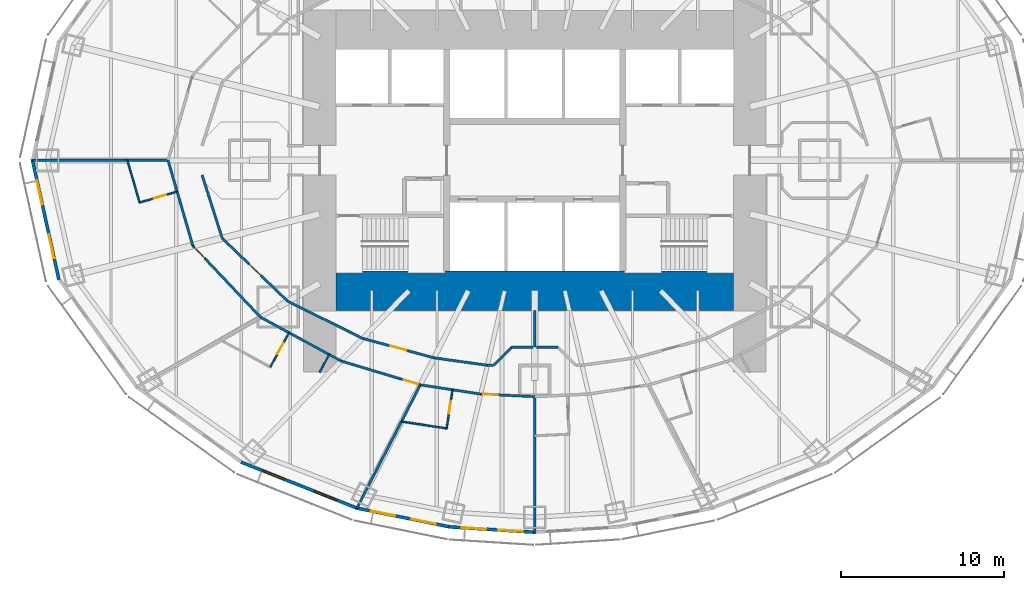
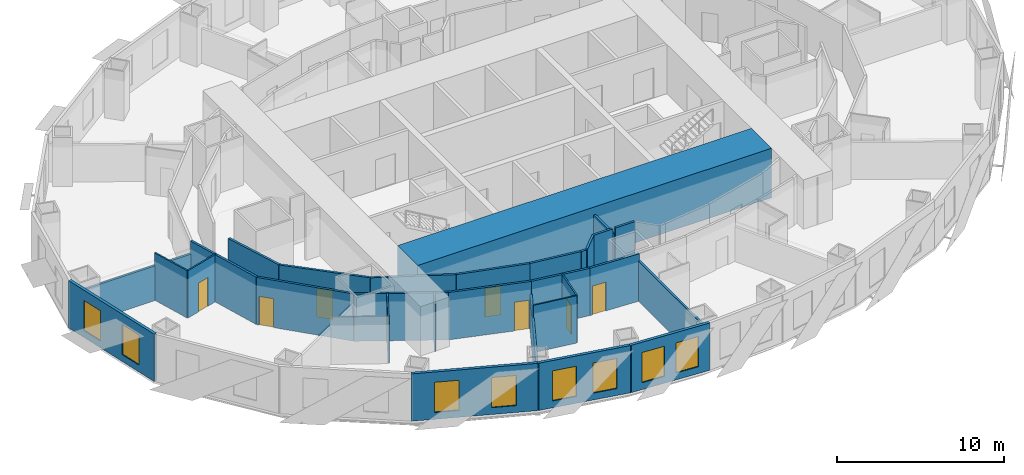
# One storey, part 5 of 15: 30 walls, 8 doors, 8 windows, 16 openings.
"""IFC4 building model written with IfcOpenShell, lengths in metres."""

from ifc_helpers import new_model, si_unit, direction, frame, frame_2d, origin, place, context, subcontext, project, spatial, rectangle, extrude, material, layer, layer_set, type_object, element, fill, save


model = new_model("IFC4")

# Units and contexts
model_context = context("Model", 3, precision=1e-05, world=origin(), true_north=direction((0.0, 1.0)))
body_context = subcontext(model_context, "Body", "Model", "MODEL_VIEW")
ifc_project = project(units=[si_unit("LENGTHUNIT", "METRE"), si_unit("AREAUNIT", "SQUARE_METRE"), si_unit("VOLUMEUNIT", "CUBIC_METRE"), si_unit("PLANEANGLEUNIT", "RADIAN"), si_unit("MASSUNIT", "GRAM", prefix="KILO")], contexts=[model_context])

# Site, building, storey
site_placement = place(None, origin())
site = spatial("IfcSite", under=ifc_project, at=site_placement, CompositionType="ELEMENT")
building_placement = place(site_placement, origin())
building = spatial("IfcBuilding", under=site, at=building_placement, Name="Lantaw Convention Tower", CompositionType="ELEMENT")
storey_placement = place(building_placement, frame((0.0, 0.0, 83.800048828125)))
storey = spatial("IfcBuildingStorey", under=building, at=storey_placement, Name="L19", CompositionType="ELEMENT", Elevation=83.800048828125)

# Walls
ifc_material_1 = material(Name="Gypsum board on steel studs", Category="steel")
ifc_layer_1 = layer(ifc_material_1, 0.14990234375)
ifc_layer_set_1 = layer_set([ifc_layer_1], Name="Back of house wall 150")
wall_type_1 = type_object("IfcWallType", Name="Back of house wall 150", PredefinedType="PARTITIONING", material=ifc_layer_set_1)
wall_1_placement = place(storey_placement, frame((0.0, -9.199951171875, 0.0), z_axis=(0.0, 0.0, 1.0), x_axis=(0.0, -1.0, 0.0)))
element("IfcWall", 1, at=wall_1_placement, inside=storey, type_object=wall_type_1, Name="Back of house wall 150", PredefinedType="PARTITIONING", context=body_context, shape_type="SweptSolid", body=[
    extrude(rectangle(XDim=2.26513671875, YDim=0.14990234375, at=frame_2d((1.132568359375, 0.0))), origin(), (0.0, 0.0, 1.0), 3.04345703125),
])
wall_2_placement = place(storey_placement, frame((0.103271484375, -11.47509765625, 0.0), z_axis=(0.0, 0.0, 1.0), x_axis=(1.0, 0.0, 0.0)))
element("IfcWall", 2, at=wall_2_placement, inside=storey, type_object=wall_type_1, Name="Back of house wall 150", PredefinedType="PARTITIONING", context=body_context, shape_type="SweptSolid", body=[
    extrude(rectangle(XDim=1.3212890625, YDim=0.14990234375, at=frame_2d((0.66064453125, 0.0))), origin(), (0.0, 0.0, 1.0), 3.449951171875),
])

# Wall, opening, door
ifc_material_2 = material(Name="Moisture resistant gypsum board on steel studs", Category="steel")
ifc_layer_2 = layer(ifc_material_2, 0.10009765625)
ifc_layer_set_2 = layer_set([ifc_layer_2], Name="Bathroom wall 100")
wall_type_2 = type_object("IfcWallType", Name="Bathroom wall 100", PredefinedType="PARTITIONING", material=ifc_layer_set_2)
wall_3_placement = place(storey_placement, frame((-21.943359375, -1.9208984375, 0.0), z_axis=(0.0, 0.0, 1.0), x_axis=(-0.960496317326, -0.278292695563, 0.0)))
wall_3 = element("IfcWall", 3, at=wall_3_placement, inside=storey, type_object=wall_type_2, Name="Bathroom wall 100", PredefinedType="PARTITIONING", context=body_context, shape_type="SweptSolid", body=[
    extrude(rectangle(XDim=2.400146484375, YDim=0.10009765625, at=frame_2d((1.2001953125, 0.0))), origin(), (0.0, 0.0, 1.0), 3.449951171875),
])
opening_1_placement = place(wall_3_placement, frame((0.699951171875, 0.0, 0.0)))
opening_1 = element("IfcOpeningElement", 4, at=opening_1_placement, cuts=wall_3, Name="Opening L19.37", PredefinedType="OPENING", context=body_context, shape_type="SweptSolid", body=[
    extrude(rectangle(XDim=0.800048828125, YDim=2.10009765625, at=frame_2d((0.39990234375, 1.050048828125))), frame((0.0, 0.06005859375, 0.0), z_axis=(0.0, -1.0, 0.0), x_axis=(1.0, 0.0, 0.0)), (0.0, 0.0, 1.0), 0.1201171875),
])
ifc_material_3 = material(Name="Timber", Category="wood")
door_type_1 = type_object("IfcDoorType", Name="Bathroom door 800", OperationType="SINGLE_SWING_LEFT", PredefinedType="DOOR", material=ifc_material_3)
door_1_placement = place(opening_1_placement, origin())
door_1 = element("IfcDoor", 5, at=door_1_placement, inside=storey, type_object=door_type_1, Name="Bathroom door", OperationType="SINGLE_SWING_LEFT", OverallHeight=2.10009765625, OverallWidth=0.800048828125, PredefinedType="DOOR", context=body_context, shape_type="SweptSolid", body=[
    extrude(rectangle(XDim=0.800048828125, YDim=2.10009765625, at=frame_2d((0.39990234375, 1.050048828125))), frame((0.0, 0.02490234375, 0.0), z_axis=(0.0, -1.0, 0.0), x_axis=(1.0, 0.0, 0.0)), (0.0, 0.0, 1.0), 0.050048828125),
])
fill(opening_1, door_1)

# Wall
wall_4_placement = place(storey_placement, frame((-24.248779296875, -2.5888671875, 0.0), z_axis=(0.0, 0.0, 1.0), x_axis=(-0.278260412958, 0.960505670249, 0.0)))
element("IfcWall", 6, at=wall_4_placement, inside=storey, type_object=wall_type_2, Name="Bathroom wall 100", PredefinedType="PARTITIONING", context=body_context, shape_type="SweptSolid", body=[
    extrude(rectangle(XDim=2.6953125, YDim=0.10009765625, at=frame_2d((1.34765625, 0.0))), origin(), (0.0, 0.0, 1.0), 3.449951171875),
])

# Wall, opening, door
wall_5_placement = place(storey_placement, frame((-15.078125, -10.57568359375, 0.0), z_axis=(0.0, 0.0, 1.0), x_axis=(-0.477832549678, -0.878450940274, 0.0)))
wall_5 = element("IfcWall", 7, at=wall_5_placement, inside=storey, type_object=wall_type_2, Name="Bathroom wall 100", PredefinedType="PARTITIONING", context=body_context, shape_type="SweptSolid", body=[
    extrude(rectangle(XDim=2.39990234375, YDim=0.10009765625, at=frame_2d((1.199951171875, 0.0))), origin(), (0.0, 0.0, 1.0), 3.449951171875),
])
opening_2_placement = place(wall_5_placement, frame((0.699951171875, 0.0, 0.0)))
opening_2 = element("IfcOpeningElement", 8, at=opening_2_placement, cuts=wall_5, Name="Opening L19.39", PredefinedType="OPENING", context=body_context, shape_type="SweptSolid", body=[
    extrude(rectangle(XDim=0.800048828125, YDim=2.10009765625, at=frame_2d((0.39990234375, 1.050048828125))), frame((0.0, 0.06005859375, 0.0), z_axis=(0.0, -1.0, 0.0), x_axis=(1.0, 0.0, 0.0)), (0.0, 0.0, 1.0), 0.1201171875),
])
door_2_placement = place(opening_2_placement, origin())
door_2 = element("IfcDoor", 9, at=door_2_placement, inside=storey, type_object=door_type_1, Name="Bathroom door", OperationType="SINGLE_SWING_LEFT", OverallHeight=2.10009765625, OverallWidth=0.800048828125, PredefinedType="DOOR", context=body_context, shape_type="SweptSolid", body=[
    extrude(rectangle(XDim=0.800048828125, YDim=2.10009765625, at=frame_2d((0.39990234375, 1.050048828125))), frame((0.0, 0.02490234375, 0.0), z_axis=(0.0, -1.0, 0.0), x_axis=(1.0, 0.0, 0.0)), (0.0, 0.0, 1.0), 0.050048828125),
])
fill(opening_2, door_2)

wall_6_placement = place(storey_placement, frame((-5.042236328125, -14.077880859375, 0.0), z_axis=(0.0, 0.0, 1.0), x_axis=(-0.150856962013, -0.988555601376, 0.0)))
wall_6 = element("IfcWall", 10, at=wall_6_placement, inside=storey, type_object=wall_type_2, Name="Bathroom wall 100", PredefinedType="PARTITIONING", context=body_context, shape_type="SweptSolid", body=[
    extrude(rectangle(XDim=2.400146484375, YDim=0.10009765625, at=frame_2d((1.2001953125, 0.0))), origin(), (0.0, 0.0, 1.0), 3.449951171875),
])
opening_3_placement = place(wall_6_placement, frame((0.699951171875, 0.0, 0.0)))
opening_3 = element("IfcOpeningElement", 11, at=opening_3_placement, cuts=wall_6, Name="Opening L19.41", PredefinedType="OPENING", context=body_context, shape_type="SweptSolid", body=[
    extrude(rectangle(XDim=0.800048828125, YDim=2.10009765625, at=frame_2d((0.39990234375, 1.050048828125))), frame((0.0, 0.06005859375, 0.0), z_axis=(0.0, -1.0, 0.0), x_axis=(1.0, 0.0, 0.0)), (0.0, 0.0, 1.0), 0.1201171875),
])
door_3_placement = place(opening_3_placement, origin())
door_3 = element("IfcDoor", 12, at=door_3_placement, inside=storey, type_object=door_type_1, Name="Bathroom door", OperationType="SINGLE_SWING_LEFT", OverallHeight=2.10009765625, OverallWidth=0.800048828125, PredefinedType="DOOR", context=body_context, shape_type="SweptSolid", body=[
    extrude(rectangle(XDim=0.800048828125, YDim=2.10009765625, at=frame_2d((0.39990234375, 1.050048828125))), frame((0.0, 0.02490234375, 0.0), z_axis=(0.0, -1.0, 0.0), x_axis=(1.0, 0.0, 0.0)), (0.0, 0.0, 1.0), 0.050048828125),
])
fill(opening_3, door_3)

# Walls
wall_7_placement = place(storey_placement, frame((-5.404296875, -16.450439453125, 0.0), z_axis=(0.0, 0.0, 1.0), x_axis=(-0.988568792086, 0.150770498819, 0.0)))
element("IfcWall", 13, at=wall_7_placement, inside=storey, type_object=wall_type_2, Name="Bathroom wall 100", PredefinedType="PARTITIONING", context=body_context, shape_type="SweptSolid", body=[
    extrude(rectangle(XDim=2.794921875, YDim=0.10009765625, at=frame_2d((1.3974609375, 0.0))), origin(), (0.0, 0.0, 1.0), 3.449951171875),
])
ifc_material_4 = material(Name="Concrete C60/75", Category="concrete")
ifc_layer_3 = layer(ifc_material_4, 2.39990234375)
ifc_layer_set_3 = layer_set([ifc_layer_3], Name="Core wall 2400")
wall_type_3 = type_object("IfcWallType", Name="Core wall 2400", PredefinedType="SHEAR", material=ifc_layer_set_3)
wall_8_placement = place(storey_placement, frame((-12.199951171875, -8.0, 0.0), z_axis=(0.0, 0.0, 1.0), x_axis=(1.0, 0.0, 0.0)))
element("IfcWall", 14, at=wall_8_placement, inside=storey, type_object=wall_type_3, Name="Core wall S", PredefinedType="SHEAR", context=body_context, shape_type="SweptSolid", body=[
    extrude(rectangle(XDim=24.39990234375, YDim=2.39990234375, at=frame_2d((12.199951171875, 0.0))), origin(), (0.0, 0.0, 1.0), 3.599853515625),
])
ifc_material_5 = material(Name="Gypsum board on steel studs, fire rated", Category="steel")
ifc_layer_4 = layer(ifc_material_5, 0.14990234375)
ifc_layer_set_4 = layer_set([ifc_layer_4], Name="Corridor wall 150 EI 60")
wall_type_4 = type_object("IfcWallType", Name="Corridor wall 150 EI 60", PredefinedType="PARTITIONING", material=ifc_layer_set_4)
wall_9_placement = place(storey_placement, frame((-22.5, 0.0, 0.0), z_axis=(0.0, 0.0, 1.0), x_axis=(0.278247435376, -0.960509429785, 0.0)))
element("IfcWall", 15, at=wall_9_placement, inside=storey, type_object=wall_type_4, Name="Corridor wall 150", PredefinedType="PARTITIONING", context=body_context, shape_type="SweptSolid", body=[
    extrude(rectangle(XDim=5.447021484375, YDim=0.14990234375, at=frame_2d((2.7236328125, 0.0))), origin(), (0.0, 0.0, 1.0), 3.449951171875),
])

# Wall, opening, door
wall_10_placement = place(storey_placement, frame((-20.984375, -5.23193359375, 0.0), z_axis=(0.0, 0.0, 1.0), x_axis=(0.687062608696, -0.726598218916, 0.0)))
wall_10 = element("IfcWall", 16, at=wall_10_placement, inside=storey, type_object=wall_type_4, Name="Corridor wall 150", PredefinedType="PARTITIONING", context=body_context, shape_type="SweptSolid", body=[
    extrude(rectangle(XDim=6.039306640625, YDim=0.14990234375, at=frame_2d((3.01953125, 0.0))), origin(), (0.0, 0.0, 1.0), 3.449951171875),
])
opening_4_placement = place(wall_10_placement, frame((0.14990234375, 0.0, 0.0)))
opening_4 = element("IfcOpeningElement", 17, at=opening_4_placement, cuts=wall_10, Name="Opening L19.38", PredefinedType="OPENING", context=body_context, shape_type="SweptSolid", body=[
    extrude(rectangle(XDim=0.89990234375, YDim=2.10009765625, at=frame_2d((0.449951171875, 1.050048828125))), frame((0.0, 0.0849609375, 0.0), z_axis=(0.0, -1.0, 0.0), x_axis=(1.0, 0.0, 0.0)), (0.0, 0.0, 1.0), 0.169921875),
])
ifc_material_6 = material(Name="Steel, fire rated", Category="steel")
door_type_2 = type_object("IfcDoorType", Name="Guest room entrance door FD30S", OperationType="SINGLE_SWING_LEFT", PredefinedType="DOOR", material=ifc_material_6)
door_4_placement = place(opening_4_placement, origin())
door_4 = element("IfcDoor", 18, at=door_4_placement, inside=storey, type_object=door_type_2, Name="Junior suite entrance door", OperationType="SINGLE_SWING_LEFT", OverallHeight=2.10009765625, OverallWidth=0.89990234375, PredefinedType="DOOR", context=body_context, shape_type="SweptSolid", body=[
    extrude(rectangle(XDim=0.89990234375, YDim=2.10009765625, at=frame_2d((0.449951171875, 1.050048828125))), frame((0.0, 0.02490234375, 0.0), z_axis=(0.0, -1.0, 0.0), x_axis=(1.0, 0.0, 0.0)), (0.0, 0.0, 1.0), 0.050048828125),
])
fill(opening_4, door_4)

# Wall
wall_11_placement = place(storey_placement, frame((-16.8349609375, -9.6201171875, 0.0), z_axis=(0.0, 0.0, 1.0), x_axis=(0.878450059298, -0.477834169267, 0.0)))
element("IfcWall", 19, at=wall_11_placement, inside=storey, type_object=wall_type_4, Name="Corridor wall 150", PredefinedType="PARTITIONING", context=body_context, shape_type="SweptSolid", body=[
    extrude(rectangle(XDim=5.630859375, YDim=0.14990234375, at=frame_2d((2.8154296875, 0.0))), origin(), (0.0, 0.0, 1.0), 3.449951171875),
])

# Wall, opening, door
wall_12_placement = place(storey_placement, frame((-11.888427734375, -12.310791015625, 0.0), z_axis=(0.0, 0.0, 1.0), x_axis=(0.957564241242, -0.288219922793, 0.0)))
wall_12 = element("IfcWall", 20, at=wall_12_placement, inside=storey, type_object=wall_type_4, Name="Corridor wall 150", PredefinedType="PARTITIONING", context=body_context, shape_type="SweptSolid", body=[
    extrude(rectangle(XDim=5.0849609375, YDim=0.14990234375, at=frame_2d((2.54248046875, 0.0))), origin(), (0.0, 0.0, 1.0), 3.449951171875),
])
opening_5_placement = place(wall_12_placement, frame((4.03466796875, 0.0, 0.0)))
opening_5 = element("IfcOpeningElement", 21, at=opening_5_placement, cuts=wall_12, Name="Opening L19.40", PredefinedType="OPENING", context=body_context, shape_type="SweptSolid", body=[
    extrude(rectangle(XDim=0.89990234375, YDim=2.10009765625, at=frame_2d((0.449951171875, 1.050048828125))), frame((0.0, 0.0849609375, 0.0), z_axis=(0.0, -1.0, 0.0), x_axis=(1.0, 0.0, 0.0)), (0.0, 0.0, 1.0), 0.169921875),
])
door_5_placement = place(opening_5_placement, origin())
door_5 = element("IfcDoor", 22, at=door_5_placement, inside=storey, type_object=door_type_2, Name="Junior suite entrance door", OperationType="SINGLE_SWING_LEFT", OverallHeight=2.10009765625, OverallWidth=0.89990234375, PredefinedType="DOOR", context=body_context, shape_type="SweptSolid", body=[
    extrude(rectangle(XDim=0.89990234375, YDim=2.10009765625, at=frame_2d((0.449951171875, 1.050048828125))), frame((0.0, 0.02490234375, 0.0), z_axis=(0.0, -1.0, 0.0), x_axis=(1.0, 0.0, 0.0)), (0.0, 0.0, 1.0), 0.050048828125),
])
fill(opening_5, door_5)

# Wall
wall_13_placement = place(storey_placement, frame((-7.019287109375, -13.7763671875, 0.0), z_axis=(0.0, 0.0, 1.0), x_axis=(0.988564270062, -0.150800145746, 0.0)))
element("IfcWall", 23, at=wall_13_placement, inside=storey, type_object=wall_type_4, Name="Corridor wall 150", PredefinedType="PARTITIONING", context=body_context, shape_type="SweptSolid", body=[
    extrude(rectangle(XDim=3.751220703125, YDim=0.14990234375, at=frame_2d((1.87548828125, 0.0))), origin(), (0.0, 0.0, 1.0), 3.449951171875),
])

# Wall, opening, door
wall_14_placement = place(storey_placement, frame((-3.31103515625, -14.342041015625, 0.0), z_axis=(0.0, 0.0, 1.0), x_axis=(0.998863968075, -0.047652631422, 0.0)))
wall_14 = element("IfcWall", 24, at=wall_14_placement, inside=storey, type_object=wall_type_4, Name="Corridor wall 150", PredefinedType="PARTITIONING", context=body_context, shape_type="SweptSolid", body=[
    extrude(rectangle(XDim=3.314697265625, YDim=0.14990234375, at=frame_2d((1.6572265625, 0.0))), origin(), (0.0, 0.0, 1.0), 3.449951171875),
])
opening_6_placement = place(wall_14_placement, frame((0.14990234375, 0.0, 0.0)))
opening_6 = element("IfcOpeningElement", 25, at=opening_6_placement, cuts=wall_14, Name="Opening L19.42", PredefinedType="OPENING", context=body_context, shape_type="SweptSolid", body=[
    extrude(rectangle(XDim=0.89990234375, YDim=2.10009765625, at=frame_2d((0.449951171875, 1.050048828125))), frame((0.0, 0.0849609375, 0.0), z_axis=(0.0, -1.0, 0.0), x_axis=(1.0, 0.0, 0.0)), (0.0, 0.0, 1.0), 0.169921875),
])
door_6_placement = place(opening_6_placement, origin())
door_6 = element("IfcDoor", 26, at=door_6_placement, inside=storey, type_object=door_type_2, Name="Junior suite entrance door", OperationType="SINGLE_SWING_LEFT", OverallHeight=2.10009765625, OverallWidth=0.89990234375, PredefinedType="DOOR", context=body_context, shape_type="SweptSolid", body=[
    extrude(rectangle(XDim=0.89990234375, YDim=2.10009765625, at=frame_2d((0.449951171875, 1.050048828125))), frame((0.0, 0.02490234375, 0.0), z_axis=(0.0, -1.0, 0.0), x_axis=(1.0, 0.0, 0.0)), (0.0, 0.0, 1.0), 0.050048828125),
])
fill(opening_6, door_6)

# Wall
wall_15_placement = place(storey_placement, frame((-20.413330078125, -0.89990234375, 0.0), z_axis=(0.0, 0.0, 1.0), x_axis=(0.303505448228, -0.952829702988, 0.0)))
element("IfcWall", 27, at=wall_15_placement, inside=storey, type_object=wall_type_4, Name="Corridor wall 150", PredefinedType="PARTITIONING", context=body_context, shape_type="SweptSolid", body=[
    extrude(rectangle(XDim=4.073486328125, YDim=0.14990234375, at=frame_2d((2.03662109375, 0.0))), origin(), (0.0, 0.0, 1.0), 3.449951171875),
])

# Wall, opening, door
wall_16_placement = place(storey_placement, frame((-19.177001953125, -4.78125, 0.0), z_axis=(0.0, 0.0, 1.0), x_axis=(0.720837261072, -0.693104352209, 0.0)))
wall_16 = element("IfcWall", 28, at=wall_16_placement, inside=storey, type_object=wall_type_4, Name="Corridor wall 150", PredefinedType="PARTITIONING", context=body_context, shape_type="SweptSolid", body=[
    extrude(rectangle(XDim=5.590087890625, YDim=0.14990234375, at=frame_2d((2.794921875, 0.0))), origin(), (0.0, 0.0, 1.0), 3.449951171875),
])
opening_7_placement = place(wall_16_placement, frame((2.294921875, 0.0, 0.0)))
opening_7 = element("IfcOpeningElement", 29, at=opening_7_placement, cuts=wall_16, Name="Opening L19.22", PredefinedType="OPENING", context=body_context, shape_type="SweptSolid", body=[
    extrude(rectangle(XDim=1.0, YDim=2.10009765625, at=frame_2d((0.5, 1.050048828125))), frame((0.0, 0.0849609375, 0.0), z_axis=(0.0, -1.0, 0.0), x_axis=(1.0, 0.0, 0.0)), (0.0, 0.0, 1.0), 0.169921875),
])
door_type_3 = type_object("IfcDoorType", Name="Service door 1000 FD30", OperationType="SINGLE_SWING_LEFT", PredefinedType="DOOR", material=ifc_material_6)
door_7_placement = place(opening_7_placement, origin())
door_7 = element("IfcDoor", 30, at=door_7_placement, inside=storey, type_object=door_type_3, Name="Staff room door", OperationType="SINGLE_SWING_LEFT", OverallHeight=2.10009765625, OverallWidth=1.0, PredefinedType="DOOR", context=body_context, shape_type="SweptSolid", body=[
    extrude(rectangle(XDim=1.0, YDim=2.10009765625, at=frame_2d((0.5, 1.050048828125))), frame((0.0, 0.02490234375, 0.0), z_axis=(0.0, -1.0, 0.0), x_axis=(1.0, 0.0, 0.0)), (0.0, 0.0, 1.0), 0.050048828125),
])
fill(opening_7, door_7)

# Wall
wall_17_placement = place(storey_placement, frame((-15.1474609375, -8.65576171875, 0.0), z_axis=(0.0, 0.0, 1.0), x_axis=(0.89656943448, -0.442903205177, 0.0)))
element("IfcWall", 31, at=wall_17_placement, inside=storey, type_object=wall_type_4, Name="Corridor wall 150", PredefinedType="PARTITIONING", context=body_context, shape_type="SweptSolid", body=[
    extrude(rectangle(XDim=5.12646484375, YDim=0.14990234375, at=frame_2d((2.563232421875, 0.0))), origin(), (0.0, 0.0, 1.0), 3.449951171875),
])

# Wall, opening, door
wall_18_placement = place(storey_placement, frame((-10.55126953125, -10.92626953125, 0.0), z_axis=(0.0, 0.0, 1.0), x_axis=(0.964644466646, -0.263554648923, 0.0)))
wall_18 = element("IfcWall", 32, at=wall_18_placement, inside=storey, type_object=wall_type_4, Name="Corridor wall 150", PredefinedType="PARTITIONING", context=body_context, shape_type="SweptSolid", body=[
    extrude(rectangle(XDim=4.535400390625, YDim=0.14990234375, at=frame_2d((2.267578125, 0.0))), origin(), (0.0, 0.0, 1.0), 3.449951171875),
])
opening_8_placement = place(wall_18_placement, frame((1.767578125, 0.0, 0.0)))
opening_8 = element("IfcOpeningElement", 33, at=opening_8_placement, cuts=wall_18, Name="Opening L19.21", PredefinedType="OPENING", context=body_context, shape_type="SweptSolid", body=[
    extrude(rectangle(XDim=1.0, YDim=2.10009765625, at=frame_2d((0.5, 1.050048828125))), frame((0.0, 0.0849609375, 0.0), z_axis=(0.0, -1.0, 0.0), x_axis=(1.0, 0.0, 0.0)), (0.0, 0.0, 1.0), 0.169921875),
])
door_8_placement = place(opening_8_placement, origin())
door_8 = element("IfcDoor", 34, at=door_8_placement, inside=storey, type_object=door_type_3, Name="Staff room door", OperationType="SINGLE_SWING_LEFT", OverallHeight=2.10009765625, OverallWidth=1.0, PredefinedType="DOOR", context=body_context, shape_type="SweptSolid", body=[
    extrude(rectangle(XDim=1.0, YDim=2.10009765625, at=frame_2d((0.5, 1.050048828125))), frame((0.0, 0.02490234375, 0.0), z_axis=(0.0, -1.0, 0.0), x_axis=(1.0, 0.0, 0.0)), (0.0, 0.0, 1.0), 0.050048828125),
])
fill(opening_8, door_8)

# Walls
wall_19_placement = place(storey_placement, frame((-6.17626953125, -12.12158203125, 0.0), z_axis=(0.0, 0.0, 1.0), x_axis=(0.990563451353, -0.137054911782, 0.0)))
element("IfcWall", 35, at=wall_19_placement, inside=storey, type_object=wall_type_4, Name="Corridor wall 150", PredefinedType="PARTITIONING", context=body_context, shape_type="SweptSolid", body=[
    extrude(rectangle(XDim=3.304443359375, YDim=0.14990234375, at=frame_2d((1.65234375, 0.0))), origin(), (0.0, 0.0, 1.0), 3.449951171875),
])
wall_20_placement = place(storey_placement, frame((-2.903076171875, -12.574462890625, 0.0), z_axis=(0.0, 0.0, 1.0), x_axis=(0.999061181733, -0.04332153223, 0.0)))
element("IfcWall", 36, at=wall_20_placement, inside=storey, type_object=wall_type_4, Name="Corridor wall 150", PredefinedType="PARTITIONING", context=body_context, shape_type="SweptSolid", body=[
    extrude(rectangle(XDim=0.3662109375, YDim=0.14990234375, at=frame_2d((0.18310546875, 0.0))), origin(), (0.0, 0.0, 1.0), 3.449951171875),
])
wall_21_placement = place(storey_placement, frame((-2.50634765625, -12.57373046875, 0.0), z_axis=(0.0, 0.0, 1.0), x_axis=(0.701622806479, 0.712548550927, 0.0)))
element("IfcWall", 37, at=wall_21_placement, inside=storey, type_object=wall_type_4, Name="Corridor wall 150", PredefinedType="PARTITIONING", context=body_context, shape_type="SweptSolid", body=[
    extrude(rectangle(XDim=1.541748046875, YDim=0.14990234375, at=frame_2d((0.77099609375, 0.0))), origin(), (0.0, 0.0, 1.0), 3.449951171875),
])
wall_22_placement = place(storey_placement, frame((-1.424560546875, -11.47509765625, 0.0), z_axis=(0.0, 0.0, 1.0), x_axis=(1.0, 0.0, 0.0)))
element("IfcWall", 38, at=wall_22_placement, inside=storey, type_object=wall_type_4, Name="Corridor wall 150", PredefinedType="PARTITIONING", context=body_context, shape_type="SweptSolid", body=[
    extrude(rectangle(XDim=1.3212890625, YDim=0.14990234375, at=frame_2d((0.66064453125, 0.0))), origin(), (0.0, 0.0, 1.0), 3.449951171875),
])

# Wall, openings, windows
ifc_material_7 = material(Name="Insulated aluminium panel on steel frame", Category="steel")
ifc_layer_5 = layer(ifc_material_7, 0.199951171875)
ifc_layer_set_5 = layer_set([ifc_layer_5], Name="External wall 200")
wall_type_5 = type_object("IfcWallType", Name="External wall 200", PredefinedType="SOLIDWALL", material=ifc_layer_set_5)
wall_23_placement = place(storey_placement, frame((-30.83544921875, 0.06689453125, 0.0), z_axis=(0.0, 0.0, 1.0), x_axis=(0.215238065514, -0.976561608478, 0.0)))
wall_23 = element("IfcWall", 39, at=wall_23_placement, inside=storey, type_object=wall_type_5, Name="Facade panel wall", PredefinedType="SOLIDWALL", context=body_context, shape_type="SweptSolid", body=[
    extrude(rectangle(XDim=7.562255859375, YDim=0.199951171875, at=frame_2d((3.78125, 0.0))), origin(), (0.0, 0.0, 1.0), 3.449951171875),
])
opening_9_placement = place(wall_23_placement, frame((1.340576171875, 0.0, 0.5)))
opening_9 = element("IfcOpeningElement", 40, at=opening_9_placement, cuts=wall_23, Name="Opening W2", PredefinedType="OPENING", context=body_context, shape_type="SweptSolid", body=[
    extrude(rectangle(XDim=1.5, YDim=2.199951171875, at=frame_2d((0.75, 1.10009765625))), frame((0.0, 0.10986328125, 0.0), z_axis=(0.0, -1.0, 0.0), x_axis=(1.0, 0.0, 0.0)), (0.0, 0.0, 1.0), 0.219970703125),
])
opening_10_placement = place(wall_23_placement, frame((4.7216796875, 0.0, 0.5)))
opening_10 = element("IfcOpeningElement", 41, at=opening_10_placement, cuts=wall_23, Name="Opening W2", PredefinedType="OPENING", context=body_context, shape_type="SweptSolid", body=[
    extrude(rectangle(XDim=1.5, YDim=2.199951171875, at=frame_2d((0.75, 1.10009765625))), frame((0.0, 0.10986328125, 0.0), z_axis=(0.0, -1.0, 0.0), x_axis=(1.0, 0.0, 0.0)), (0.0, 0.0, 1.0), 0.219970703125),
])
ifc_material_8 = material(Name="Aluminium frame, clear insulating glass", Category="aluminium")
window_type = type_object("IfcWindowType", Name="Suite window 1500x2200", PartitioningType="SINGLE_PANEL", PredefinedType="WINDOW", material=ifc_material_8)
window_1_placement = place(opening_9_placement, origin())
window_1 = element("IfcWindow", 42, at=window_1_placement, inside=storey, type_object=window_type, Name="Guest room window", OverallHeight=2.199951171875, OverallWidth=1.5, PartitioningType="SINGLE_PANEL", PredefinedType="WINDOW", context=body_context, shape_type="SweptSolid", body=[
    extrude(rectangle(XDim=1.5, YDim=2.199951171875, at=frame_2d((0.75, 1.10009765625))), frame((0.0, 0.030029296875, 0.0), z_axis=(0.0, -1.0, 0.0), x_axis=(1.0, 0.0, 0.0)), (0.0, 0.0, 1.0), 0.06005859375),
])
fill(opening_9, window_1)
window_2_placement = place(opening_10_placement, origin())
window_2 = element("IfcWindow", 43, at=window_2_placement, inside=storey, type_object=window_type, Name="Guest room window", OverallHeight=2.199951171875, OverallWidth=1.5, PartitioningType="SINGLE_PANEL", PredefinedType="WINDOW", context=body_context, shape_type="SweptSolid", body=[
    extrude(rectangle(XDim=1.5, YDim=2.199951171875, at=frame_2d((0.75, 1.10009765625))), frame((0.0, 0.030029296875, 0.0), z_axis=(0.0, -1.0, 0.0), x_axis=(1.0, 0.0, 0.0)), (0.0, 0.0, 1.0), 0.06005859375),
])
fill(opening_10, window_2)

wall_24_placement = place(storey_placement, frame((-18.018310546875, -18.522705078125, 0.0), z_axis=(0.0, 0.0, 1.0), x_axis=(0.929358351251, -0.369178892895, 0.0)))
wall_24 = element("IfcWall", 44, at=wall_24_placement, inside=storey, type_object=wall_type_5, Name="Facade panel wall", PredefinedType="SOLIDWALL", context=body_context, shape_type="SweptSolid", body=[
    extrude(rectangle(XDim=7.6923828125, YDim=0.199951171875, at=frame_2d((3.84619140625, 0.0))), origin(), (0.0, 0.0, 1.0), 3.449951171875),
])
opening_11_placement = place(wall_24_placement, frame((1.373046875, 0.0, 0.5)))
opening_11 = element("IfcOpeningElement", 45, at=opening_11_placement, cuts=wall_24, Name="Opening W2", PredefinedType="OPENING", context=body_context, shape_type="SweptSolid", body=[
    extrude(rectangle(XDim=1.5, YDim=2.199951171875, at=frame_2d((0.75, 1.10009765625))), frame((0.0, 0.10986328125, 0.0), z_axis=(0.0, -1.0, 0.0), x_axis=(1.0, 0.0, 0.0)), (0.0, 0.0, 1.0), 0.219970703125),
])
opening_12_placement = place(wall_24_placement, frame((4.819091796875, 0.0, 0.5)))
opening_12 = element("IfcOpeningElement", 46, at=opening_12_placement, cuts=wall_24, Name="Opening W2", PredefinedType="OPENING", context=body_context, shape_type="SweptSolid", body=[
    extrude(rectangle(XDim=1.5, YDim=2.199951171875, at=frame_2d((0.75, 1.10009765625))), frame((0.0, 0.10986328125, 0.0), z_axis=(0.0, -1.0, 0.0), x_axis=(1.0, 0.0, 0.0)), (0.0, 0.0, 1.0), 0.219970703125),
])
window_3_placement = place(opening_11_placement, origin())
window_3 = element("IfcWindow", 47, at=window_3_placement, inside=storey, type_object=window_type, Name="Guest room window", OverallHeight=2.199951171875, OverallWidth=1.5, PartitioningType="SINGLE_PANEL", PredefinedType="WINDOW", context=body_context, shape_type="SweptSolid", body=[
    extrude(rectangle(XDim=1.5, YDim=2.199951171875, at=frame_2d((0.75, 1.10009765625))), frame((0.0, 0.030029296875, 0.0), z_axis=(0.0, -1.0, 0.0), x_axis=(1.0, 0.0, 0.0)), (0.0, 0.0, 1.0), 0.06005859375),
])
fill(opening_11, window_3)
window_4_placement = place(opening_12_placement, origin())
window_4 = element("IfcWindow", 48, at=window_4_placement, inside=storey, type_object=window_type, Name="Guest room window", OverallHeight=2.199951171875, OverallWidth=1.5, PartitioningType="SINGLE_PANEL", PredefinedType="WINDOW", context=body_context, shape_type="SweptSolid", body=[
    extrude(rectangle(XDim=1.5, YDim=2.199951171875, at=frame_2d((0.75, 1.10009765625))), frame((0.0, 0.030029296875, 0.0), z_axis=(0.0, -1.0, 0.0), x_axis=(1.0, 0.0, 0.0)), (0.0, 0.0, 1.0), 0.06005859375),
])
fill(opening_12, window_4)

wall_25_placement = place(storey_placement, frame((-10.956787109375, -21.336669921875, 0.0), z_axis=(0.0, 0.0, 1.0), x_axis=(0.980251657452, -0.197754110105, 0.0)))
wall_25 = element("IfcWall", 49, at=wall_25_placement, inside=storey, type_object=wall_type_5, Name="Facade panel wall", PredefinedType="SOLIDWALL", context=body_context, shape_type="SweptSolid", body=[
    extrude(rectangle(XDim=5.90380859375, YDim=0.199951171875, at=frame_2d((2.951904296875, 0.0))), origin(), (0.0, 0.0, 1.0), 3.449951171875),
])
opening_13_placement = place(wall_25_placement, frame((0.92578125, 0.0, 0.5)))
opening_13 = element("IfcOpeningElement", 50, at=opening_13_placement, cuts=wall_25, Name="Opening W2", PredefinedType="OPENING", context=body_context, shape_type="SweptSolid", body=[
    extrude(rectangle(XDim=1.5, YDim=2.199951171875, at=frame_2d((0.75, 1.10009765625))), frame((0.0, 0.10986328125, 0.0), z_axis=(0.0, -1.0, 0.0), x_axis=(1.0, 0.0, 0.0)), (0.0, 0.0, 1.0), 0.219970703125),
])
opening_14_placement = place(wall_25_placement, frame((3.477783203125, 0.0, 0.5)))
opening_14 = element("IfcOpeningElement", 51, at=opening_14_placement, cuts=wall_25, Name="Opening W2", PredefinedType="OPENING", context=body_context, shape_type="SweptSolid", body=[
    extrude(rectangle(XDim=1.5, YDim=2.199951171875, at=frame_2d((0.75, 1.10009765625))), frame((0.0, 0.10986328125, 0.0), z_axis=(0.0, -1.0, 0.0), x_axis=(1.0, 0.0, 0.0)), (0.0, 0.0, 1.0), 0.219970703125),
])
window_5_placement = place(opening_13_placement, origin())
window_5 = element("IfcWindow", 52, at=window_5_placement, inside=storey, type_object=window_type, Name="Guest room window", OverallHeight=2.199951171875, OverallWidth=1.5, PartitioningType="SINGLE_PANEL", PredefinedType="WINDOW", context=body_context, shape_type="SweptSolid", body=[
    extrude(rectangle(XDim=1.5, YDim=2.199951171875, at=frame_2d((0.75, 1.10009765625))), frame((0.0, 0.030029296875, 0.0), z_axis=(0.0, -1.0, 0.0), x_axis=(1.0, 0.0, 0.0)), (0.0, 0.0, 1.0), 0.06005859375),
])
fill(opening_13, window_5)
window_6_placement = place(opening_14_placement, origin())
window_6 = element("IfcWindow", 53, at=window_6_placement, inside=storey, type_object=window_type, Name="Guest room window", OverallHeight=2.199951171875, OverallWidth=1.5, PartitioningType="SINGLE_PANEL", PredefinedType="WINDOW", context=body_context, shape_type="SweptSolid", body=[
    extrude(rectangle(XDim=1.5, YDim=2.199951171875, at=frame_2d((0.75, 1.10009765625))), frame((0.0, 0.030029296875, 0.0), z_axis=(0.0, -1.0, 0.0), x_axis=(1.0, 0.0, 0.0)), (0.0, 0.0, 1.0), 0.06005859375),
])
fill(opening_14, window_6)

wall_26_placement = place(storey_placement, frame((-5.252685546875, -22.493408203125, 0.0), z_axis=(0.0, 0.0, 1.0), x_axis=(0.998018582375, -0.062919863585, 0.0)))
wall_26 = element("IfcWall", 54, at=wall_26_placement, inside=storey, type_object=wall_type_5, Name="Facade panel wall", PredefinedType="SOLIDWALL", context=body_context, shape_type="SweptSolid", body=[
    extrude(rectangle(XDim=5.30419921875, YDim=0.199951171875, at=frame_2d((2.652099609375, 0.0))), origin(), (0.0, 0.0, 1.0), 3.449951171875),
])
opening_15_placement = place(wall_26_placement, frame((0.77587890625, 0.0, 0.5)))
opening_15 = element("IfcOpeningElement", 55, at=opening_15_placement, cuts=wall_26, Name="Opening W2", PredefinedType="OPENING", context=body_context, shape_type="SweptSolid", body=[
    extrude(rectangle(XDim=1.5, YDim=2.199951171875, at=frame_2d((0.75, 1.10009765625))), frame((0.0, 0.10986328125, 0.0), z_axis=(0.0, -1.0, 0.0), x_axis=(1.0, 0.0, 0.0)), (0.0, 0.0, 1.0), 0.219970703125),
])
opening_16_placement = place(wall_26_placement, frame((3.028076171875, 0.0, 0.5)))
opening_16 = element("IfcOpeningElement", 56, at=opening_16_placement, cuts=wall_26, Name="Opening W2", PredefinedType="OPENING", context=body_context, shape_type="SweptSolid", body=[
    extrude(rectangle(XDim=1.5, YDim=2.199951171875, at=frame_2d((0.75, 1.10009765625))), frame((0.0, 0.10986328125, 0.0), z_axis=(0.0, -1.0, 0.0), x_axis=(1.0, 0.0, 0.0)), (0.0, 0.0, 1.0), 0.219970703125),
])
window_7_placement = place(opening_15_placement, origin())
window_7 = element("IfcWindow", 57, at=window_7_placement, inside=storey, type_object=window_type, Name="Guest room window", OverallHeight=2.199951171875, OverallWidth=1.5, PartitioningType="SINGLE_PANEL", PredefinedType="WINDOW", context=body_context, shape_type="SweptSolid", body=[
    extrude(rectangle(XDim=1.5, YDim=2.199951171875, at=frame_2d((0.75, 1.10009765625))), frame((0.0, 0.030029296875, 0.0), z_axis=(0.0, -1.0, 0.0), x_axis=(1.0, 0.0, 0.0)), (0.0, 0.0, 1.0), 0.06005859375),
])
fill(opening_15, window_7)
window_8_placement = place(opening_16_placement, origin())
window_8 = element("IfcWindow", 58, at=window_8_placement, inside=storey, type_object=window_type, Name="Guest room window", OverallHeight=2.199951171875, OverallWidth=1.5, PartitioningType="SINGLE_PANEL", PredefinedType="WINDOW", context=body_context, shape_type="SweptSolid", body=[
    extrude(rectangle(XDim=1.5, YDim=2.199951171875, at=frame_2d((0.75, 1.10009765625))), frame((0.0, 0.030029296875, 0.0), z_axis=(0.0, -1.0, 0.0), x_axis=(1.0, 0.0, 0.0)), (0.0, 0.0, 1.0), 0.06005859375),
])
fill(opening_16, window_8)

# Walls
ifc_material_9 = material(Name="Gypsum board on steel studs, acoustic", Category="steel")
ifc_layer_6 = layer(ifc_material_9, 0.14990234375)
ifc_layer_set_6 = layer_set([ifc_layer_6], Name="Guest room party wall 150")
wall_type_6 = type_object("IfcWallType", Name="Guest room party wall 150", PredefinedType="PARTITIONING", material=ifc_layer_set_6)
wall_27_placement = place(storey_placement, frame((-30.82080078125, 0.0, 0.0), z_axis=(0.0, 0.0, 1.0), x_axis=(1.0, 0.0, 0.0)))
element("IfcWall", 59, at=wall_27_placement, inside=storey, type_object=wall_type_6, Name="Guest room party wall 150", PredefinedType="PARTITIONING", context=body_context, shape_type="SweptSolid", body=[
    extrude(rectangle(XDim=8.32080078125, YDim=0.14990234375, at=frame_2d((4.160400390625, 0.0))), origin(), (0.0, 0.0, 1.0), 2.52783203125),
])
wall_28_placement = place(storey_placement, frame((-10.911865234375, -21.345703125, 0.0), z_axis=(0.0, 0.0, 1.0), x_axis=(0.457327273085, 0.889298468059, 0.0)))
element("IfcWall", 60, at=wall_28_placement, inside=storey, type_object=wall_type_6, Name="Guest room party wall 150", PredefinedType="PARTITIONING", context=body_context, shape_type="SweptSolid", body=[
    extrude(rectangle(XDim=8.511474609375, YDim=0.14990234375, at=frame_2d((4.255859375, 0.0))), origin(), (0.0, 0.0, 1.0), 2.52783203125),
])
wall_29_placement = place(storey_placement, frame((0.0, -22.82470703125, 0.0), z_axis=(0.0, 0.0, 1.0), x_axis=(0.0, 1.0, 0.0)))
element("IfcWall", 61, at=wall_29_placement, inside=storey, type_object=wall_type_6, Name="Guest room party wall 150", PredefinedType="PARTITIONING", context=body_context, shape_type="SweptSolid", body=[
    extrude(rectangle(XDim=8.32470703125, YDim=0.14990234375, at=frame_2d((4.162353515625, 0.0))), origin(), (0.0, 0.0, 1.0), 2.924072265625),
])
ifc_layer_7 = layer(ifc_material_9, 0.10009765625)
ifc_layer_set_7 = layer_set([ifc_layer_7], Name="Office partition 100")
wall_type_7 = type_object("IfcWallType", Name="Office partition 100", PredefinedType="PARTITIONING", material=ifc_layer_set_7)
wall_30_placement = place(storey_placement, frame((-13.199951171875, -13.0, 0.0), z_axis=(0.0, 0.0, 1.0), x_axis=(0.477852414256, 0.878440134665, 0.0)))
element("IfcWall", 62, at=wall_30_placement, inside=storey, type_object=wall_type_7, Name="Office partition 100", PredefinedType="PARTITIONING", context=body_context, shape_type="SweptSolid", body=[
    extrude(rectangle(XDim=1.232421875, YDim=0.10009765625, at=frame_2d((0.6162109375, 0.0))), origin(), (0.0, 0.0, 1.0), 3.449951171875),
])

save(model, "model.ifc")
